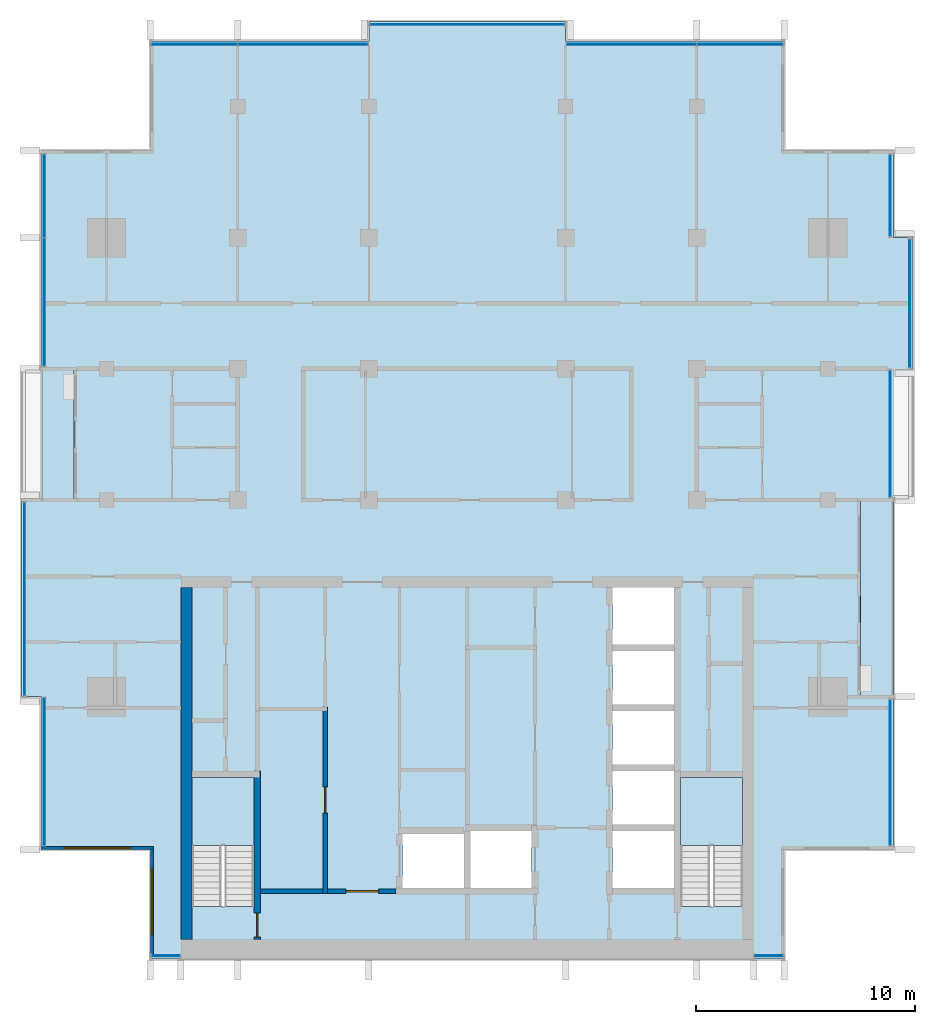
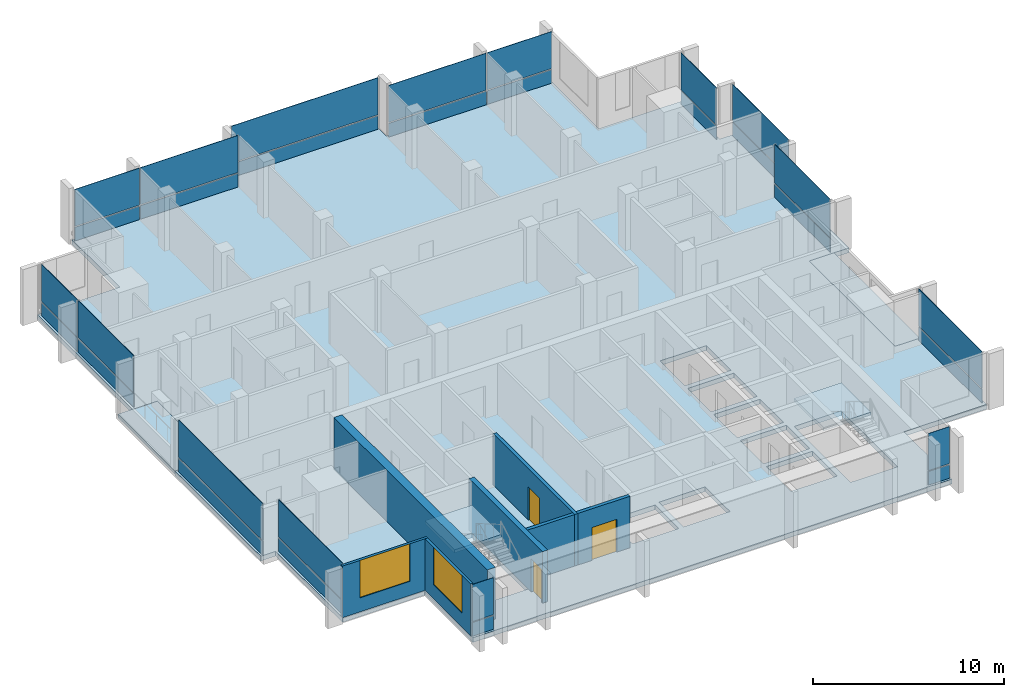
# One storey, part 6 of 15: 30 plates, 7 walls, 5 slabs, 3 doors, 2 windows, 5 openings, 14 elements without a shape of their own.
"""IFC4 building model written with IfcOpenShell, lengths in metres."""

from ifc_helpers import new_model, si_unit, direction, frame, frame_2d, origin, origin_2d, place, context, subcontext, project, spatial, polyline, rectangle, outline, extrude, material, layer, layer_set, type_object, element, fill, aggregate, save


model = new_model("IFC4")

# Units and contexts
model_context = context("Model", 3, precision=1e-05, world=origin(), true_north=direction((0.0, 1.0)))
body_context = subcontext(model_context, "Body", "Model", "MODEL_VIEW")
ifc_project = project(units=[si_unit("LENGTHUNIT", "METRE"), si_unit("AREAUNIT", "SQUARE_METRE"), si_unit("VOLUMEUNIT", "CUBIC_METRE"), si_unit("PLANEANGLEUNIT", "RADIAN"), si_unit("MASSUNIT", "GRAM", prefix="KILO")], contexts=[model_context])

# Site, building, storey
site_placement = place(None, origin())
site = spatial("IfcSite", under=ifc_project, at=site_placement, CompositionType="ELEMENT")
building_placement = place(site_placement, origin())
building = spatial("IfcBuilding", under=site, at=building_placement, Name="Finial Court Residences", CompositionType="ELEMENT")
storey_placement = place(building_placement, frame((0.0, 0.0, 266.300048828125)))
storey = spatial("IfcBuildingStorey", under=building, at=storey_placement, Name="L67", CompositionType="ELEMENT", Elevation=266.300048828125)

# Slabs
ifc_material_1 = material(Name="Concrete C35/45", Category="concrete")
ifc_layer_1 = layer(ifc_material_1, 0.199951171875)
ifc_layer_set_1 = layer_set([ifc_layer_1], Name="Balcony slab, Concrete C35/45 200")
slab_type_1 = type_object("IfcSlabType", Name="Balcony slab, Concrete C35/45 200", PredefinedType="FLOOR", material=ifc_layer_set_1)
slab_1_placement = place(storey_placement, frame((0.0, 0.0, -0.199951171875)))
element("IfcSlab", 1, at=slab_1_placement, inside=storey, type_object=slab_type_1, Name="Balcony L67-E2", PredefinedType="FLOOR", context=body_context, shape_type="SweptSolid", body=[
    extrude(outline(polyline([(19.5, -13.5), (19.5, -4.5), (18.0, -4.5), (18.0, -13.5), (19.5, -13.5)])), origin(), (0.0, 0.0, 1.0), 0.199951171875),
])
slab_2_placement = place(storey_placement, frame((0.0, 0.0, -0.199951171875)))
element("IfcSlab", 2, at=slab_2_placement, inside=storey, type_object=slab_type_1, Name="Balcony L67-W3", PredefinedType="FLOOR", context=body_context, shape_type="SweptSolid", body=[
    extrude(outline(polyline([(-20.39990234375, -4.5), (-20.39990234375, 1.5), (-19.5, 1.5), (-18.0, 1.5), (-18.0, -4.5), (-19.5, -4.5), (-20.39990234375, -4.5)])), origin(), (0.0, 0.0, 1.0), 0.199951171875),
])

# Curtain wall, plates
ifc_material_2 = material(Name="Bronze anodised aluminium", Category="aluminium")
curtain_wall_type = type_object("IfcCurtainWallType", Name="Unitised curtain wall, upper zones", PredefinedType="NOTDEFINED", material=ifc_material_2)
curtain_wall_1_placement = place(storey_placement, origin())
curtain_wall_1 = element("IfcCurtainWall", 3, at=curtain_wall_1_placement, inside=storey, type_object=curtain_wall_type, Name="E-L67-CW-N1", PredefinedType="NOTDEFINED")
ifc_layer_2 = layer(ifc_material_2, 0.035888671875)
ifc_layer_set_2 = layer_set([ifc_layer_2], Name="CW2 spandrel panel 36")
plate_type_1 = type_object("IfcPlateType", Name="CW2 spandrel panel 36", PredefinedType="CURTAIN_PANEL", material=ifc_layer_set_2)
plate_1_placement = place(storey_placement, frame((-12.485107421875, 16.35009765625, 0.0), z_axis=(0.0, 0.0, 1.0), x_axis=(1.0, 0.0, 0.0)))
plate_1 = element("IfcPlate", 4, at=plate_1_placement, type_object=plate_type_1, Name="CW2 spandrel 1.1", PredefinedType="CURTAIN_PANEL", context=body_context, shape_type="SweptSolid", body=[
    extrude(rectangle(XDim=3.909912109375, YDim=0.035888671875, at=origin_2d()), origin(), (0.0, 0.0, 1.0), 0.8701171875),
])
plate_2_placement = place(storey_placement, frame((-7.514892578125, 16.35009765625, 0.0), z_axis=(0.0, 0.0, 1.0), x_axis=(1.0, 0.0, 0.0)))
plate_2 = element("IfcPlate", 5, at=plate_2_placement, type_object=plate_type_1, Name="CW2 spandrel 2.1", PredefinedType="CURTAIN_PANEL", context=body_context, shape_type="SweptSolid", body=[
    extrude(rectangle(XDim=5.909912109375, YDim=0.035888671875, at=origin_2d()), origin(), (0.0, 0.0, 1.0), 0.8701171875),
])

# Curtain wall, plate
curtain_wall_2_placement = place(storey_placement, origin())
curtain_wall_2 = element("IfcCurtainWall", 6, at=curtain_wall_2_placement, inside=storey, type_object=curtain_wall_type, Name="E-L67-CW-N2", PredefinedType="NOTDEFINED")
plate_3_placement = place(storey_placement, frame((0.0, 17.25, 0.0), z_axis=(0.0, 0.0, 1.0), x_axis=(1.0, 0.0, 0.0)))
plate_3 = element("IfcPlate", 7, at=plate_3_placement, type_object=plate_type_1, Name="CW2 spandrel 1.1", PredefinedType="CURTAIN_PANEL", context=body_context, shape_type="SweptSolid", body=[
    extrude(rectangle(XDim=8.8798828125, YDim=0.035888671875, at=origin_2d()), origin(), (0.0, 0.0, 1.0), 0.8701171875),
])

# Curtain wall, plates
curtain_wall_3_placement = place(storey_placement, origin())
curtain_wall_3 = element("IfcCurtainWall", 8, at=curtain_wall_3_placement, inside=storey, type_object=curtain_wall_type, Name="E-L67-CW-N3", PredefinedType="NOTDEFINED")
plate_4_placement = place(storey_placement, frame((7.514892578125, 16.35009765625, 0.0), z_axis=(0.0, 0.0, 1.0), x_axis=(1.0, 0.0, 0.0)))
plate_4 = element("IfcPlate", 9, at=plate_4_placement, type_object=plate_type_1, Name="CW2 spandrel 1.1", PredefinedType="CURTAIN_PANEL", context=body_context, shape_type="SweptSolid", body=[
    extrude(rectangle(XDim=5.909912109375, YDim=0.035888671875, at=origin_2d()), origin(), (0.0, 0.0, 1.0), 0.8701171875),
])
plate_5_placement = place(storey_placement, frame((12.485107421875, 16.35009765625, 0.0), z_axis=(0.0, 0.0, 1.0), x_axis=(1.0, 0.0, 0.0)))
plate_5 = element("IfcPlate", 10, at=plate_5_placement, type_object=plate_type_1, Name="CW2 spandrel 2.1", PredefinedType="CURTAIN_PANEL", context=body_context, shape_type="SweptSolid", body=[
    extrude(rectangle(XDim=3.909912109375, YDim=0.035888671875, at=origin_2d()), origin(), (0.0, 0.0, 1.0), 0.8701171875),
])

# Curtain wall, plate
curtain_wall_4_placement = place(storey_placement, origin())
curtain_wall_4 = element("IfcCurtainWall", 11, at=curtain_wall_4_placement, inside=storey, type_object=curtain_wall_type, Name="E-L67-CW-E4", PredefinedType="NOTDEFINED")
plate_6_placement = place(storey_placement, frame((19.35009765625, -16.96240234375, 0.0), z_axis=(0.0, 0.0, 1.0), x_axis=(0.0, 1.0, 0.0)))
plate_6 = element("IfcPlate", 12, at=plate_6_placement, type_object=plate_type_1, Name="CW2 spandrel 1.1", PredefinedType="CURTAIN_PANEL", context=body_context, shape_type="SweptSolid", body=[
    extrude(rectangle(XDim=6.655029296875, YDim=0.035888671875, at=origin_2d()), origin(), (0.0, 0.0, 1.0), 0.8701171875),
])

curtain_wall_5_placement = place(storey_placement, origin())
curtain_wall_5 = element("IfcCurtainWall", 13, at=curtain_wall_5_placement, inside=storey, type_object=curtain_wall_type, Name="E-L67-CW-E5", PredefinedType="NOTDEFINED")
plate_7_placement = place(storey_placement, frame((19.35009765625, -1.46240234375, 0.0), z_axis=(0.0, 0.0, 1.0), x_axis=(0.0, 1.0, 0.0)))
plate_7 = element("IfcPlate", 14, at=plate_7_placement, type_object=plate_type_1, Name="CW2 spandrel 1.1", PredefinedType="CURTAIN_PANEL", context=body_context, shape_type="SweptSolid", body=[
    extrude(rectangle(XDim=5.804931640625, YDim=0.035888671875, at=origin_2d()), origin(), (0.0, 0.0, 1.0), 0.8701171875),
])

curtain_wall_6_placement = place(storey_placement, origin())
curtain_wall_6 = element("IfcCurtainWall", 15, at=curtain_wall_6_placement, inside=storey, type_object=curtain_wall_type, Name="E-L67-CW-E6", PredefinedType="NOTDEFINED")
plate_8_placement = place(storey_placement, frame((20.25, 4.5, 0.0), z_axis=(0.0, 0.0, 1.0), x_axis=(0.0, 1.0, 0.0)))
plate_8 = element("IfcPlate", 16, at=plate_8_placement, type_object=plate_type_1, Name="CW2 spandrel 1.1", PredefinedType="CURTAIN_PANEL", context=body_context, shape_type="SweptSolid", body=[
    extrude(rectangle(XDim=5.8798828125, YDim=0.035888671875, at=origin_2d()), origin(), (0.0, 0.0, 1.0), 0.8701171875),
])

curtain_wall_7_placement = place(storey_placement, origin())
curtain_wall_7 = element("IfcCurtainWall", 17, at=curtain_wall_7_placement, inside=storey, type_object=curtain_wall_type, Name="E-L67-CW-E7", PredefinedType="NOTDEFINED")
plate_9_placement = place(storey_placement, frame((19.35009765625, 9.425048828125, 0.0), z_axis=(0.0, 0.0, 1.0), x_axis=(0.0, 1.0, 0.0)))
plate_9 = element("IfcPlate", 18, at=plate_9_placement, type_object=plate_type_1, Name="CW2 spandrel 1.1", PredefinedType="CURTAIN_PANEL", context=body_context, shape_type="SweptSolid", body=[
    extrude(rectangle(XDim=3.72998046875, YDim=0.035888671875, at=origin_2d()), origin(), (0.0, 0.0, 1.0), 0.8701171875),
])

curtain_wall_8_placement = place(storey_placement, origin())
curtain_wall_8 = element("IfcCurtainWall", 19, at=curtain_wall_8_placement, inside=storey, type_object=curtain_wall_type, Name="E-L67-CW-S8", PredefinedType="NOTDEFINED")
plate_10_placement = place(storey_placement, frame((-13.800048828125, -25.35009765625, 0.0), z_axis=(0.0, 0.0, 1.0), x_axis=(1.0, 0.0, 0.0)))
plate_10 = element("IfcPlate", 20, at=plate_10_placement, type_object=plate_type_1, Name="CW2 spandrel 1.1", PredefinedType="CURTAIN_PANEL", context=body_context, shape_type="SweptSolid", body=[
    extrude(rectangle(XDim=1.280029296875, YDim=0.035888671875, at=origin_2d()), origin(), (0.0, 0.0, 1.0), 0.8701171875),
])

curtain_wall_9_placement = place(storey_placement, origin())
curtain_wall_9 = element("IfcCurtainWall", 21, at=curtain_wall_9_placement, inside=storey, type_object=curtain_wall_type, Name="E-L67-CW-S9", PredefinedType="NOTDEFINED")
plate_11_placement = place(storey_placement, frame((13.800048828125, -25.35009765625, 0.0), z_axis=(0.0, 0.0, 1.0), x_axis=(1.0, 0.0, 0.0)))
plate_11 = element("IfcPlate", 22, at=plate_11_placement, type_object=plate_type_1, Name="CW2 spandrel 1.1", PredefinedType="CURTAIN_PANEL", context=body_context, shape_type="SweptSolid", body=[
    extrude(rectangle(XDim=1.280029296875, YDim=0.035888671875, at=origin_2d()), origin(), (0.0, 0.0, 1.0), 0.8701171875),
])

curtain_wall_10_placement = place(storey_placement, origin())
curtain_wall_10 = element("IfcCurtainWall", 23, at=curtain_wall_10_placement, inside=storey, type_object=curtain_wall_type, Name="E-L67-CW-W10", PredefinedType="NOTDEFINED")
plate_12_placement = place(storey_placement, frame((-19.35009765625, -16.925048828125, 0.0), z_axis=(0.0, 0.0, 1.0), x_axis=(0.0, 1.0, 0.0)))
plate_12 = element("IfcPlate", 24, at=plate_12_placement, type_object=plate_type_1, Name="CW2 spandrel 1.1", PredefinedType="CURTAIN_PANEL", context=body_context, shape_type="SweptSolid", body=[
    extrude(rectangle(XDim=6.72998046875, YDim=0.035888671875, at=origin_2d()), origin(), (0.0, 0.0, 1.0), 0.8701171875),
])

curtain_wall_11_placement = place(storey_placement, origin())
curtain_wall_11 = element("IfcCurtainWall", 25, at=curtain_wall_11_placement, inside=storey, type_object=curtain_wall_type, Name="E-L67-CW-W11", PredefinedType="NOTDEFINED")
plate_13_placement = place(storey_placement, frame((-20.25, -9.03759765625, 0.0), z_axis=(0.0, 0.0, 1.0), x_axis=(0.0, 1.0, 0.0)))
plate_13 = element("IfcPlate", 26, at=plate_13_placement, type_object=plate_type_1, Name="CW2 spandrel 1.1", PredefinedType="CURTAIN_PANEL", context=body_context, shape_type="SweptSolid", body=[
    extrude(rectangle(XDim=8.804931640625, YDim=0.035888671875, at=origin_2d()), origin(), (0.0, 0.0, 1.0), 0.8701171875),
])

# Curtain wall, plates
curtain_wall_12_placement = place(storey_placement, origin())
curtain_wall_12 = element("IfcCurtainWall", 27, at=curtain_wall_12_placement, inside=storey, type_object=curtain_wall_type, Name="E-L67-CW-W12", PredefinedType="NOTDEFINED")
plate_14_placement = place(storey_placement, frame((-19.35009765625, 4.552490234375, 0.0), z_axis=(0.0, 0.0, 1.0), x_axis=(0.0, 1.0, 0.0)))
plate_14 = element("IfcPlate", 28, at=plate_14_placement, type_object=plate_type_1, Name="CW2 spandrel 1.1", PredefinedType="CURTAIN_PANEL", context=body_context, shape_type="SweptSolid", body=[
    extrude(rectangle(XDim=5.8349609375, YDim=0.035888671875, at=origin_2d()), origin(), (0.0, 0.0, 1.0), 0.8701171875),
])
plate_15_placement = place(storey_placement, frame((-19.35009765625, 9.409912109375, 0.0), z_axis=(0.0, 0.0, 1.0), x_axis=(0.0, 1.0, 0.0)))
plate_15 = element("IfcPlate", 29, at=plate_15_placement, type_object=plate_type_1, Name="CW2 spandrel 2.1", PredefinedType="CURTAIN_PANEL", context=body_context, shape_type="SweptSolid", body=[
    extrude(rectangle(XDim=3.760009765625, YDim=0.035888671875, at=origin_2d()), origin(), (0.0, 0.0, 1.0), 0.8701171875),
])

# Plate
ifc_material_3 = material(Name="Clear low-e glass", Category="glass")
ifc_layer_3 = layer(ifc_material_3, 0.030029296875)
ifc_layer_set_3 = layer_set([ifc_layer_3], Name="CW2 vision glass 30")
plate_type_2 = type_object("IfcPlateType", Name="CW2 vision glass 30", PredefinedType="CURTAIN_PANEL", material=ifc_layer_set_3)
plate_16_placement = place(storey_placement, frame((-12.485107421875, 16.35009765625, 0.929931640625), z_axis=(0.0, 0.0, 1.0), x_axis=(1.0, 0.0, 0.0)))
plate_16 = element("IfcPlate", 30, at=plate_16_placement, type_object=plate_type_2, Name="CW2 glass 1.2", PredefinedType="CURTAIN_PANEL", context=body_context, shape_type="SweptSolid", body=[
    extrude(rectangle(XDim=3.909912109375, YDim=0.030029296875, at=origin_2d()), origin(), (0.0, 0.0, 1.0), 2.3701171875),
])

plate_17_placement = place(storey_placement, frame((-7.514892578125, 16.35009765625, 0.929931640625), z_axis=(0.0, 0.0, 1.0), x_axis=(1.0, 0.0, 0.0)))
plate_17 = element("IfcPlate", 31, at=plate_17_placement, type_object=plate_type_2, Name="CW2 glass 2.2", PredefinedType="CURTAIN_PANEL", context=body_context, shape_type="SweptSolid", body=[
    extrude(rectangle(XDim=5.909912109375, YDim=0.030029296875, at=origin_2d()), origin(), (0.0, 0.0, 1.0), 2.3701171875),
])

aggregate(curtain_wall_1, [plate_1, plate_16, plate_2, plate_17])

plate_18_placement = place(storey_placement, frame((0.0, 17.25, 0.929931640625), z_axis=(0.0, 0.0, 1.0), x_axis=(1.0, 0.0, 0.0)))
plate_18 = element("IfcPlate", 32, at=plate_18_placement, type_object=plate_type_2, Name="CW2 glass 1.2", PredefinedType="CURTAIN_PANEL", context=body_context, shape_type="SweptSolid", body=[
    extrude(rectangle(XDim=8.8798828125, YDim=0.030029296875, at=origin_2d()), origin(), (0.0, 0.0, 1.0), 2.3701171875),
])

aggregate(curtain_wall_2, [plate_3, plate_18])

plate_19_placement = place(storey_placement, frame((7.514892578125, 16.35009765625, 0.929931640625), z_axis=(0.0, 0.0, 1.0), x_axis=(1.0, 0.0, 0.0)))
plate_19 = element("IfcPlate", 33, at=plate_19_placement, type_object=plate_type_2, Name="CW2 glass 1.2", PredefinedType="CURTAIN_PANEL", context=body_context, shape_type="SweptSolid", body=[
    extrude(rectangle(XDim=5.909912109375, YDim=0.030029296875, at=origin_2d()), origin(), (0.0, 0.0, 1.0), 2.3701171875),
])

plate_20_placement = place(storey_placement, frame((12.485107421875, 16.35009765625, 0.929931640625), z_axis=(0.0, 0.0, 1.0), x_axis=(1.0, 0.0, 0.0)))
plate_20 = element("IfcPlate", 34, at=plate_20_placement, type_object=plate_type_2, Name="CW2 glass 2.2", PredefinedType="CURTAIN_PANEL", context=body_context, shape_type="SweptSolid", body=[
    extrude(rectangle(XDim=3.909912109375, YDim=0.030029296875, at=origin_2d()), origin(), (0.0, 0.0, 1.0), 2.3701171875),
])

aggregate(curtain_wall_3, [plate_4, plate_19, plate_5, plate_20])

plate_21_placement = place(storey_placement, frame((19.35009765625, -16.96240234375, 0.929931640625), z_axis=(0.0, 0.0, 1.0), x_axis=(0.0, 1.0, 0.0)))
plate_21 = element("IfcPlate", 35, at=plate_21_placement, type_object=plate_type_2, Name="CW2 glass 1.2", PredefinedType="CURTAIN_PANEL", context=body_context, shape_type="SweptSolid", body=[
    extrude(rectangle(XDim=6.655029296875, YDim=0.030029296875, at=origin_2d()), origin(), (0.0, 0.0, 1.0), 2.3701171875),
])

aggregate(curtain_wall_4, [plate_6, plate_21])

plate_22_placement = place(storey_placement, frame((19.35009765625, -1.46240234375, 0.93017578125), z_axis=(0.0, 0.0, 1.0), x_axis=(0.0, 1.0, 0.0)))
plate_22 = element("IfcPlate", 36, at=plate_22_placement, type_object=plate_type_2, Name="CW2 glass 1.2", PredefinedType="CURTAIN_PANEL", context=body_context, shape_type="SweptSolid", body=[
    extrude(rectangle(XDim=5.804931640625, YDim=0.030029296875, at=origin_2d()), origin(), (0.0, 0.0, 1.0), 2.469970703125),
])

aggregate(curtain_wall_5, [plate_7, plate_22])

plate_23_placement = place(storey_placement, frame((20.25, 4.5, 0.929931640625), z_axis=(0.0, 0.0, 1.0), x_axis=(0.0, 1.0, 0.0)))
plate_23 = element("IfcPlate", 37, at=plate_23_placement, type_object=plate_type_2, Name="CW2 glass 1.2", PredefinedType="CURTAIN_PANEL", context=body_context, shape_type="SweptSolid", body=[
    extrude(rectangle(XDim=5.8798828125, YDim=0.030029296875, at=origin_2d()), origin(), (0.0, 0.0, 1.0), 2.3701171875),
])

aggregate(curtain_wall_6, [plate_8, plate_23])

plate_24_placement = place(storey_placement, frame((19.35009765625, 9.425048828125, 0.929931640625), z_axis=(0.0, 0.0, 1.0), x_axis=(0.0, 1.0, 0.0)))
plate_24 = element("IfcPlate", 38, at=plate_24_placement, type_object=plate_type_2, Name="CW2 glass 1.2", PredefinedType="CURTAIN_PANEL", context=body_context, shape_type="SweptSolid", body=[
    extrude(rectangle(XDim=3.72998046875, YDim=0.030029296875, at=origin_2d()), origin(), (0.0, 0.0, 1.0), 2.3701171875),
])

aggregate(curtain_wall_7, [plate_9, plate_24])

plate_25_placement = place(storey_placement, frame((-13.800048828125, -25.35009765625, 0.929931640625), z_axis=(0.0, 0.0, 1.0), x_axis=(1.0, 0.0, 0.0)))
plate_25 = element("IfcPlate", 39, at=plate_25_placement, type_object=plate_type_2, Name="CW2 glass 1.2", PredefinedType="CURTAIN_PANEL", context=body_context, shape_type="SweptSolid", body=[
    extrude(rectangle(XDim=1.280029296875, YDim=0.030029296875, at=origin_2d()), origin(), (0.0, 0.0, 1.0), 2.3701171875),
])

aggregate(curtain_wall_8, [plate_10, plate_25])

plate_26_placement = place(storey_placement, frame((13.800048828125, -25.35009765625, 0.929931640625), z_axis=(0.0, 0.0, 1.0), x_axis=(1.0, 0.0, 0.0)))
plate_26 = element("IfcPlate", 40, at=plate_26_placement, type_object=plate_type_2, Name="CW2 glass 1.2", PredefinedType="CURTAIN_PANEL", context=body_context, shape_type="SweptSolid", body=[
    extrude(rectangle(XDim=1.280029296875, YDim=0.030029296875, at=origin_2d()), origin(), (0.0, 0.0, 1.0), 2.3701171875),
])

aggregate(curtain_wall_9, [plate_11, plate_26])

plate_27_placement = place(storey_placement, frame((-19.35009765625, -16.925048828125, 0.929931640625), z_axis=(0.0, 0.0, 1.0), x_axis=(0.0, 1.0, 0.0)))
plate_27 = element("IfcPlate", 41, at=plate_27_placement, type_object=plate_type_2, Name="CW2 glass 1.2", PredefinedType="CURTAIN_PANEL", context=body_context, shape_type="SweptSolid", body=[
    extrude(rectangle(XDim=6.72998046875, YDim=0.030029296875, at=origin_2d()), origin(), (0.0, 0.0, 1.0), 2.3701171875),
])

aggregate(curtain_wall_10, [plate_12, plate_27])

plate_28_placement = place(storey_placement, frame((-20.25, -9.03759765625, 0.929931640625), z_axis=(0.0, 0.0, 1.0), x_axis=(0.0, 1.0, 0.0)))
plate_28 = element("IfcPlate", 42, at=plate_28_placement, type_object=plate_type_2, Name="CW2 glass 1.2", PredefinedType="CURTAIN_PANEL", context=body_context, shape_type="SweptSolid", body=[
    extrude(rectangle(XDim=8.804931640625, YDim=0.030029296875, at=origin_2d()), origin(), (0.0, 0.0, 1.0), 2.3701171875),
])

aggregate(curtain_wall_11, [plate_13, plate_28])

plate_29_placement = place(storey_placement, frame((-19.35009765625, 4.552490234375, 0.929931640625), z_axis=(0.0, 0.0, 1.0), x_axis=(0.0, 1.0, 0.0)))
plate_29 = element("IfcPlate", 43, at=plate_29_placement, type_object=plate_type_2, Name="CW2 glass 1.2", PredefinedType="CURTAIN_PANEL", context=body_context, shape_type="SweptSolid", body=[
    extrude(rectangle(XDim=5.8349609375, YDim=0.030029296875, at=origin_2d()), origin(), (0.0, 0.0, 1.0), 2.3701171875),
])

plate_30_placement = place(storey_placement, frame((-19.35009765625, 9.409912109375, 0.929931640625), z_axis=(0.0, 0.0, 1.0), x_axis=(0.0, 1.0, 0.0)))
plate_30 = element("IfcPlate", 44, at=plate_30_placement, type_object=plate_type_2, Name="CW2 glass 2.2", PredefinedType="CURTAIN_PANEL", context=body_context, shape_type="SweptSolid", body=[
    extrude(rectangle(XDim=3.760009765625, YDim=0.030029296875, at=origin_2d()), origin(), (0.0, 0.0, 1.0), 2.3701171875),
])

aggregate(curtain_wall_12, [plate_14, plate_29, plate_15, plate_30])

# Stair, slab
ifc_material_4 = material(Name="Concrete C50/60", Category="concrete")
stair_type = type_object("IfcStairType", Name="Exit stair 22 risers of 163.6 mm", PredefinedType="HALF_TURN_STAIR", material=ifc_material_4)
stair_1_placement = place(storey_placement, origin())
stair_1 = element("IfcStair", 45, at=stair_1_placement, inside=storey, type_object=stair_type, Name="L67 Exit stair ST-1", PredefinedType="HALF_TURN_STAIR")
ifc_layer_4 = layer(ifc_material_4, 0.199951171875)
ifc_layer_set_4 = layer_set([ifc_layer_4], Name="Exit stair landing")
slab_type_2 = type_object("IfcSlabType", Name="Exit stair landing", PredefinedType="LANDING", material=ifc_layer_set_4)
slab_3_placement = place(storey_placement, frame((0.0, 0.0, 1.599853515625)))
slab_3 = element("IfcSlab", 46, at=slab_3_placement, type_object=slab_type_2, Name="ST-1 landing 1", PredefinedType="LANDING", context=body_context, shape_type="SweptSolid", body=[
    extrude(outline(polyline([(-9.75, -20.300048828125), (-9.75, -17.199951171875), (-12.60009765625, -17.199951171875), (-12.60009765625, -20.300048828125), (-9.75, -20.300048828125)])), origin(), (0.0, 0.0, 1.0), 0.2001953125),
])
aggregate(stair_1, [slab_3])

stair_2_placement = place(storey_placement, origin())
stair_2 = element("IfcStair", 47, at=stair_2_placement, inside=storey, type_object=stair_type, Name="L67 Exit stair ST-2", PredefinedType="HALF_TURN_STAIR")
slab_4_placement = place(storey_placement, frame((0.0, 0.0, 1.599853515625)))
slab_4 = element("IfcSlab", 48, at=slab_4_placement, type_object=slab_type_2, Name="ST-2 landing 1", PredefinedType="LANDING", context=body_context, shape_type="SweptSolid", body=[
    extrude(outline(polyline([(12.60009765625, -20.300048828125), (12.60009765625, -17.199951171875), (9.75, -17.199951171875), (9.75, -20.300048828125), (12.60009765625, -20.300048828125)])), origin(), (0.0, 0.0, 1.0), 0.2001953125),
])
aggregate(stair_2, [slab_4])

# Slab
ifc_material_5 = material(Name="Concrete C40/50", Category="concrete")
ifc_layer_5 = layer(ifc_material_5, 0.300048828125)
ifc_layer_set_5 = layer_set([ifc_layer_5], Name="Flat plate slab 300 Concrete C40/50")
slab_type_3 = type_object("IfcSlabType", Name="Flat plate slab 300 Concrete C40/50", PredefinedType="FLOOR", material=ifc_layer_set_5)
slab_5_placement = place(storey_placement, frame((0.0, 0.0, -0.300048828125)))
element("IfcSlab", 49, at=slab_5_placement, inside=storey, type_object=slab_type_3, Name="S:SLAB:L67", PredefinedType="FLOOR", context=body_context, shape_type="SweptSolid", body=[
    extrude(outline(polyline([(-19.5, 1.5), (-19.5, 11.5), (-14.5, 11.5), (-14.5, 16.5), (-4.5, 16.5), (-4.5, 17.39990234375), (4.5, 17.39990234375), (4.5, 16.5), (14.5, 16.5), (14.5, 11.5), (19.5, 11.5), (19.5, 7.5), (20.39990234375, 7.5), (20.39990234375, 1.5), (20.39990234375, -4.5), (19.5, -4.5), (18.0, -4.5), (18.0, -13.5), (19.5, -13.5), (19.5, -20.5), (14.5, -20.5), (14.5, -25.5), (-14.5, -25.5), (-14.5, -20.5), (-19.5, -20.5), (-19.5, -13.5), (-20.39990234375, -13.5), (-20.39990234375, -4.5), (-19.5, -4.5), (-18.0, -4.5), (-18.0, 1.5), (-19.5, 1.5)]), holes=[polyline([(-0.14990234375, -19.77001953125), (-2.949951171875, -19.77001953125), (-2.949951171875, -22.25), (-0.14990234375, -22.25), (-0.14990234375, -19.77001953125)]), polyline([(2.949951171875, -19.64990234375), (0.14990234375, -19.64990234375), (0.14990234375, -22.25), (2.949951171875, -22.25), (2.949951171875, -19.64990234375)]), polyline([(9.449951171875, -19.64990234375), (6.64990234375, -19.64990234375), (6.64990234375, -22.25), (9.449951171875, -22.25), (9.449951171875, -19.64990234375)]), polyline([(-12.60009765625, -17.199951171875), (-12.60009765625, -23.09912109375), (-9.75, -23.09912109375), (-9.75, -17.199951171875), (-12.60009765625, -17.199951171875)]), polyline([(9.75, -17.199951171875), (9.75, -23.09912109375), (12.60009765625, -23.09912109375), (12.60009765625, -17.199951171875), (9.75, -17.199951171875)]), polyline([(9.449951171875, -16.89990234375), (6.64990234375, -16.89990234375), (6.64990234375, -19.35009765625), (9.449951171875, -19.35009765625), (9.449951171875, -16.89990234375)]), polyline([(9.449951171875, -14.14990234375), (6.64990234375, -14.14990234375), (6.64990234375, -16.60009765625), (9.449951171875, -16.60009765625), (9.449951171875, -14.14990234375)]), polyline([(9.449951171875, -13.85009765625), (9.449951171875, -11.39990234375), (6.64990234375, -11.39990234375), (6.64990234375, -13.85009765625), (9.449951171875, -13.85009765625)]), polyline([(9.449951171875, -11.10009765625), (9.449951171875, -8.5), (6.64990234375, -8.5), (6.64990234375, -11.10009765625), (9.449951171875, -11.10009765625)])]), origin(), (0.0, 0.0, 1.0), 0.300048828125),
])

# Wall
ifc_layer_6 = layer(ifc_material_4, 0.5)
ifc_layer_set_6 = layer_set([ifc_layer_6], Name="Core outer wall 500 Concrete C50/60")
wall_type_1 = type_object("IfcWallType", Name="Core outer wall 500 Concrete C50/60", PredefinedType="SHEAR", material=ifc_layer_set_6)
wall_1_placement = place(storey_placement, frame((-12.85009765625, -24.60009765625, 0.0), z_axis=(0.0, 0.0, 1.0), x_axis=(0.0, 1.0, 0.0)))
element("IfcWall", 50, at=wall_1_placement, inside=storey, type_object=wall_type_1, Name="Core outer wall L67-03", PredefinedType="SHEAR", context=body_context, shape_type="SweptSolid", body=[
    extrude(rectangle(XDim=16.10009765625, YDim=0.5, at=frame_2d((8.050048828125, 0.0))), origin(), (0.0, 0.0, 1.0), 3.300048828125),
])

# Wall, opening, door
ifc_layer_7 = layer(ifc_material_4, 0.300048828125)
ifc_layer_set_7 = layer_set([ifc_layer_7], Name="Lift shaft and stair wall 300 Concrete C50/60")
wall_type_2 = type_object("IfcWallType", Name="Lift shaft and stair wall 300 Concrete C50/60", PredefinedType="SHEAR", material=ifc_layer_set_7)
wall_2_placement = place(storey_placement, frame((-9.60009765625, -24.60009765625, 0.0), z_axis=(0.0, 0.0, 1.0), x_axis=(0.0, 1.0, 0.0)))
wall_2 = element("IfcWall", 51, at=wall_2_placement, inside=storey, type_object=wall_type_2, Name="Core wall L67-21", PredefinedType="SHEAR", context=body_context, shape_type="SweptSolid", body=[
    extrude(rectangle(XDim=7.7001953125, YDim=0.300048828125, at=frame_2d((3.85009765625, 0.0))), origin(), (0.0, 0.0, 1.0), 3.300048828125),
])
opening_1_placement = place(wall_2_placement, frame((0.10009765625, 0.0, 0.0)))
opening_1 = element("IfcOpeningElement", 52, at=opening_1_placement, cuts=wall_2, Name="Opening L67-C19", PredefinedType="OPENING", context=body_context, shape_type="SweptSolid", body=[
    extrude(rectangle(XDim=1.10009765625, YDim=2.10009765625, at=frame_2d((0.550048828125, 1.050048828125))), frame((0.0, 0.159912109375, 0.0), z_axis=(0.0, -1.0, 0.0), x_axis=(1.0, 0.0, 0.0)), (0.0, 0.0, 1.0), 0.320068359375),
])
ifc_material_6 = material(Name="Steel fire door", Category="steel")
door_type_1 = type_object("IfcDoorType", Name="Stair door 1100 x 2100 EI 90", OperationType="NOTDEFINED", PredefinedType="DOOR", material=ifc_material_6)
door_1_placement = place(opening_1_placement, origin())
door_1 = element("IfcDoor", 53, at=door_1_placement, inside=storey, type_object=door_type_1, Name="Stair door L67-C19", OperationType="SINGLE_SWING_LEFT", OverallHeight=2.10009765625, OverallWidth=1.10009765625, PredefinedType="DOOR", context=body_context, shape_type="SweptSolid", body=[
    extrude(rectangle(XDim=1.10009765625, YDim=2.10009765625, at=frame_2d((0.550048828125, 1.050048828125))), frame((0.0, 0.02490234375, 0.0), z_axis=(0.0, -1.0, 0.0), x_axis=(1.0, 0.0, 0.0)), (0.0, 0.0, 1.0), 0.050048828125),
])
fill(opening_1, door_1)

# Wall, opening, window
ifc_material_7 = material(Name="Natural limestone", Category="masonry")
ifc_layer_8 = layer(ifc_material_7, 0.14990234375)
ifc_layer_set_8 = layer_set([ifc_layer_8], Name="Limestone clad wall 150")
wall_type_3 = type_object("IfcWallType", Name="Limestone clad wall 150", PredefinedType="SOLIDWALL", material=ifc_layer_set_8)
wall_3_placement = place(storey_placement, frame((-14.425048828125, -25.262451171875, 0.0), z_axis=(0.0, 0.0, 1.0), x_axis=(0.0, 1.0, 0.0)))
wall_3 = element("IfcWall", 54, at=wall_3_placement, inside=storey, type_object=wall_type_3, Name="E-L67-NWW13", PredefinedType="SOLIDWALL", context=body_context, shape_type="SweptSolid", body=[
    extrude(rectangle(XDim=4.762451171875, YDim=0.14990234375, at=frame_2d((2.38134765625, 0.0))), origin(), (0.0, 0.0, 1.0), 3.300048828125),
])
opening_2_placement = place(wall_3_placement, frame((0.881103515625, 0.0, 0.89990234375)))
opening_2 = element("IfcOpeningElement", 55, at=opening_2_placement, cuts=wall_3, Name="Opening WE67-01", PredefinedType="OPENING", context=body_context, shape_type="SweptSolid", body=[
    extrude(rectangle(XDim=3.0, YDim=2.39990234375, at=frame_2d((1.5, 1.199951171875))), frame((0.0, 0.0849609375, 0.0), z_axis=(0.0, -1.0, 0.0), x_axis=(1.0, 0.0, 0.0)), (0.0, 0.0, 1.0), 0.169921875),
])
window_type = type_object("IfcWindowType", Name="Corner window 3000 x 2400", PartitioningType="SINGLE_PANEL", PredefinedType="WINDOW", material=ifc_material_3)
window_1_placement = place(opening_2_placement, origin())
window_1 = element("IfcWindow", 56, at=window_1_placement, inside=storey, type_object=window_type, Name="E-L67-NWW13-W1", OverallHeight=2.39990234375, OverallWidth=3.0, PartitioningType="SINGLE_PANEL", PredefinedType="WINDOW", context=body_context, shape_type="SweptSolid", body=[
    extrude(rectangle(XDim=3.0, YDim=2.39990234375, at=frame_2d((1.5, 1.199951171875))), frame((0.0, 0.030029296875, 0.0), z_axis=(0.0, -1.0, 0.0), x_axis=(1.0, 0.0, 0.0)), (0.0, 0.0, 1.0), 0.06005859375),
])
fill(opening_2, window_1)

wall_4_placement = place(storey_placement, frame((-14.35009765625, -20.425048828125, 0.0), z_axis=(0.0, 0.0, 1.0), x_axis=(-1.0, 0.0, 0.0)))
wall_4 = element("IfcWall", 57, at=wall_4_placement, inside=storey, type_object=wall_type_3, Name="E-L67-NWS14", PredefinedType="SOLIDWALL", context=body_context, shape_type="SweptSolid", body=[
    extrude(rectangle(XDim=5.14990234375, YDim=0.14990234375, at=frame_2d((2.574951171875, 0.0))), origin(), (0.0, 0.0, 1.0), 3.300048828125),
])
opening_3_placement = place(wall_4_placement, frame((1.074951171875, 0.0, 0.89990234375)))
opening_3 = element("IfcOpeningElement", 58, at=opening_3_placement, cuts=wall_4, Name="Opening WE67-02", PredefinedType="OPENING", context=body_context, shape_type="SweptSolid", body=[
    extrude(rectangle(XDim=3.0, YDim=2.39990234375, at=frame_2d((1.5, 1.199951171875))), frame((0.0, 0.0849609375, 0.0), z_axis=(0.0, -1.0, 0.0), x_axis=(1.0, 0.0, 0.0)), (0.0, 0.0, 1.0), 0.169921875),
])
window_2_placement = place(opening_3_placement, origin())
window_2 = element("IfcWindow", 59, at=window_2_placement, inside=storey, type_object=window_type, Name="E-L67-NWS14-W1", OverallHeight=2.39990234375, OverallWidth=3.0, PartitioningType="SINGLE_PANEL", PredefinedType="WINDOW", context=body_context, shape_type="SweptSolid", body=[
    extrude(rectangle(XDim=3.0, YDim=2.39990234375, at=frame_2d((1.5, 1.199951171875))), frame((0.0, 0.030029296875, 0.0), z_axis=(0.0, -1.0, 0.0), x_axis=(1.0, 0.0, 0.0)), (0.0, 0.0, 1.0), 0.06005859375),
])
fill(opening_3, window_2)

# Wall
ifc_material_8 = material(Name="Fire-rated gypsum board partition")
ifc_layer_9 = layer(ifc_material_8, 0.199951171875)
ifc_layer_set_9 = layer_set([ifc_layer_9], Name="Riser room wall 200 EI 120")
wall_type_4 = type_object("IfcWallType", Name="Riser room wall 200 EI 120", PredefinedType="PARTITIONING", material=ifc_layer_set_9)
wall_5_placement = place(storey_placement, frame((-9.449951171875, -22.39990234375, 0.0), z_axis=(0.0, 0.0, 1.0), x_axis=(1.0, 0.0, 0.0)))
element("IfcWall", 60, at=wall_5_placement, inside=storey, type_object=wall_type_4, Name="Core partition L67-01", PredefinedType="PARTITIONING", context=body_context, shape_type="SweptSolid", body=[
    extrude(rectangle(XDim=2.849853515625, YDim=0.199951171875, at=frame_2d((1.4248046875, 0.0))), origin(), (0.0, 0.0, 1.0), 3.300048828125),
])

# Wall, opening, door
wall_6_placement = place(storey_placement, frame((-6.5, -22.5, 0.0), z_axis=(0.0, 0.0, 1.0), x_axis=(0.0, 1.0, 0.0)))
wall_6 = element("IfcWall", 61, at=wall_6_placement, inside=storey, type_object=wall_type_4, Name="Core partition L67-24", PredefinedType="PARTITIONING", context=body_context, shape_type="SweptSolid", body=[
    extrude(rectangle(XDim=8.5400390625, YDim=0.199951171875, at=frame_2d((4.27001953125, 0.0))), origin(), (0.0, 0.0, 1.0), 3.300048828125),
])
opening_4_placement = place(wall_6_placement, frame((3.669921875, 0.0, 0.0)))
opening_4 = element("IfcOpeningElement", 62, at=opening_4_placement, cuts=wall_6, Name="Opening L67-C09", PredefinedType="OPENING", context=body_context, shape_type="SweptSolid", body=[
    extrude(rectangle(XDim=1.199951171875, YDim=2.10009765625, at=frame_2d((0.60009765625, 1.050048828125))), frame((0.0, 0.10986328125, 0.0), z_axis=(0.0, -1.0, 0.0), x_axis=(1.0, 0.0, 0.0)), (0.0, 0.0, 1.0), 0.219970703125),
])
door_type_2 = type_object("IfcDoorType", Name="Riser room door 1200 x 2100 EI 90", OperationType="NOTDEFINED", PredefinedType="DOOR", material=ifc_material_6)
door_2_placement = place(opening_4_placement, origin())
door_2 = element("IfcDoor", 63, at=door_2_placement, inside=storey, type_object=door_type_2, Name="Riser room door L67-C09", OperationType="SINGLE_SWING_LEFT", OverallHeight=2.10009765625, OverallWidth=1.199951171875, PredefinedType="DOOR", context=body_context, shape_type="SweptSolid", body=[
    extrude(rectangle(XDim=1.199951171875, YDim=2.10009765625, at=frame_2d((0.60009765625, 1.050048828125))), frame((0.0, 0.02490234375, 0.0), z_axis=(0.0, -1.0, 0.0), x_axis=(1.0, 0.0, 0.0)), (0.0, 0.0, 1.0), 0.050048828125),
])
fill(opening_4, door_2)

ifc_layer_10 = layer(ifc_material_8, 0.199951171875)
ifc_layer_set_10 = layer_set([ifc_layer_10], Name="Stair passage wall 200 EI 180")
wall_type_5 = type_object("IfcWallType", Name="Stair passage wall 200 EI 180", PredefinedType="PARTITIONING", material=ifc_layer_set_10)
wall_7_placement = place(storey_placement, frame((-3.25, -22.39990234375, 0.0), z_axis=(0.0, 0.0, 1.0), x_axis=(-1.0, 0.0, 0.0)))
wall_7 = element("IfcWall", 64, at=wall_7_placement, inside=storey, type_object=wall_type_5, Name="Core partition L67-02", PredefinedType="PARTITIONING", context=body_context, shape_type="SweptSolid", body=[
    extrude(rectangle(XDim=3.14990234375, YDim=0.199951171875, at=frame_2d((1.574951171875, 0.0))), origin(), (0.0, 0.0, 1.0), 3.300048828125),
])
opening_5_placement = place(wall_7_placement, frame((0.800048828125, 0.0, 0.0)))
opening_5 = element("IfcOpeningElement", 65, at=opening_5_placement, cuts=wall_7, Name="Opening L67-C03", PredefinedType="OPENING", context=body_context, shape_type="SweptSolid", body=[
    extrude(rectangle(XDim=1.5, YDim=2.10009765625, at=frame_2d((0.75, 1.050048828125))), frame((0.0, 0.10986328125, 0.0), z_axis=(0.0, -1.0, 0.0), x_axis=(1.0, 0.0, 0.0)), (0.0, 0.0, 1.0), 0.219970703125),
])
door_type_3 = type_object("IfcDoorType", Name="Lift lobby door 1500 x 2100 EI 60", OperationType="DOUBLE_DOOR_SINGLE_SWING", PredefinedType="DOOR", material=ifc_material_6)
door_3_placement = place(opening_5_placement, origin())
door_3 = element("IfcDoor", 66, at=door_3_placement, inside=storey, type_object=door_type_3, Name="Lift lobby door L67-C03", OperationType="DOUBLE_DOOR_SINGLE_SWING", OverallHeight=2.10009765625, OverallWidth=1.5, PredefinedType="DOOR", context=body_context, shape_type="SweptSolid", body=[
    extrude(rectangle(XDim=1.5, YDim=2.10009765625, at=frame_2d((0.75, 1.050048828125))), frame((0.0, 0.02490234375, 0.0), z_axis=(0.0, -1.0, 0.0), x_axis=(1.0, 0.0, 0.0)), (0.0, 0.0, 1.0), 0.050048828125),
])
fill(opening_5, door_3)

save(model, "model.ifc")
